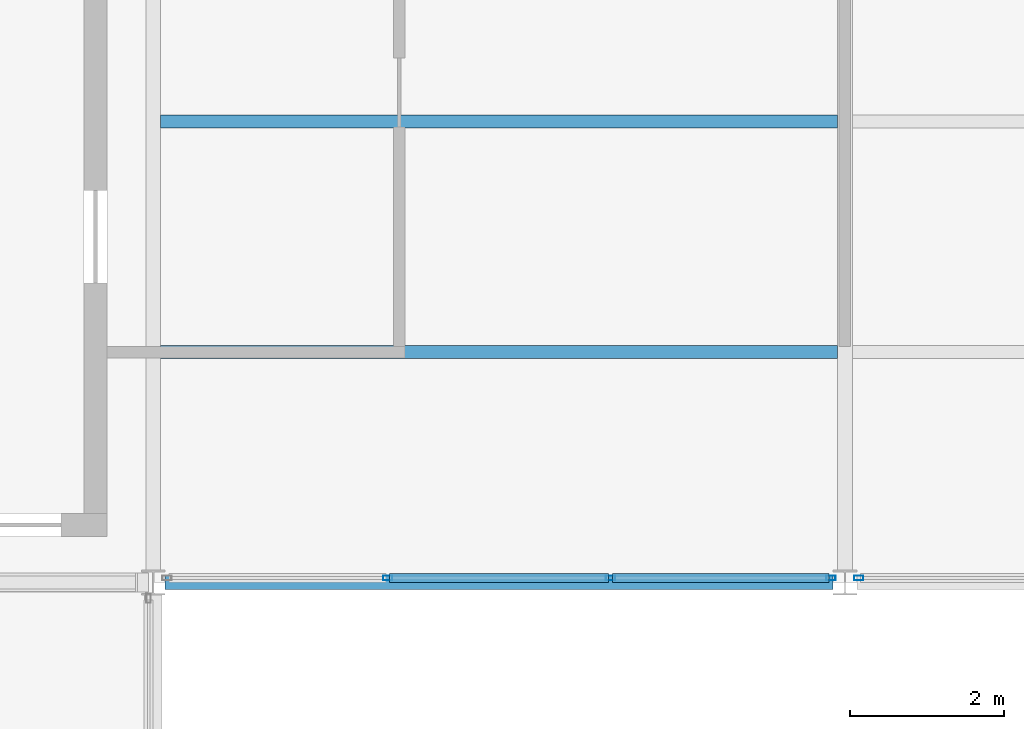
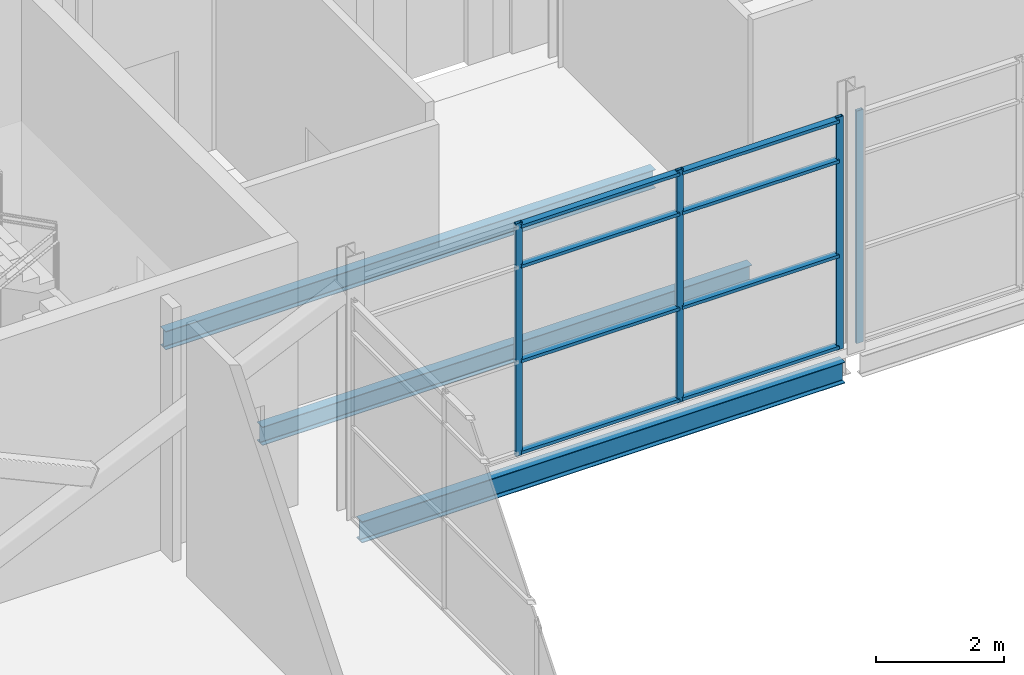
# One storey, part 43 of 112: 12 members, 3 beams, 2 elements without a shape of their own.
"""IFC4 building model written with IfcOpenShell, lengths in metres."""

from ifc_helpers import new_model, si_unit, direction, frame, origin, origin_2d, place, context, subcontext, project, spatial, hollow_rectangle, i_section, extrude, material, layer, layer_set, material_profile, profile_set, type_object, element, aggregate, save


model = new_model("IFC4")

# Units and contexts
model_context = context("Model", 3, precision=1e-05, world=origin(), true_north=direction((0.0, 1.0)))
body_context = subcontext(model_context, "Body", "Model", "MODEL_VIEW")
ifc_project = project(units=[si_unit("LENGTHUNIT", "METRE"), si_unit("AREAUNIT", "SQUARE_METRE"), si_unit("VOLUMEUNIT", "CUBIC_METRE"), si_unit("PLANEANGLEUNIT", "RADIAN"), si_unit("MASSUNIT", "GRAM", prefix="KILO")], contexts=[model_context])

# Site, building, storey
site_placement = place(None, origin())
site = spatial("IfcSite", under=ifc_project, at=site_placement, CompositionType="ELEMENT")
building_placement = place(site_placement, origin())
building = spatial("IfcBuilding", under=site, at=building_placement, Name="Shorebreak Coast Museum", CompositionType="ELEMENT")
storey_placement = place(building_placement, frame((0.0, 0.0, 6.0)))
storey = spatial("IfcBuildingStorey", under=building, at=storey_placement, Name="L01", CompositionType="ELEMENT", Elevation=6.0)

# Beams
ifc_material_1 = material(Name="Steel Grade 300", Category="steel")
ifc_material_profile_1 = material_profile(ifc_material_1, i_section(OverallWidth=0.177978515625, OverallDepth=0.402587890625, WebThickness=0.007568359375, FlangeThickness=0.010986328125, FilletRadius=0.011474609375, at=origin_2d()), Name="410UB53.7")
ifc_profile_set_1 = profile_set([ifc_material_profile_1], Name="Steel Grade 300")
beam_type_1 = type_object("IfcBeamType", Name="Floor girder east-west 410UB53.7", PredefinedType="BEAM", material=ifc_profile_set_1)
beam_placement = place(storey_placement, frame((63.155517578125, 81.0, -0.376220703125), z_axis=(1.0, 0.0, 0.0), x_axis=(0.0, 1.0, 0.0)))
element("IfcBeam", 1, at=beam_placement, inside=storey, type_object=beam_type_1, Name="Floor girder east-west L01 8K", PredefinedType="BEAM", context=body_context, shape_type="SweptSolid", body=[
    extrude(i_section(OverallWidth=0.177978515625, OverallDepth=0.402587890625, WebThickness=0.007568359375, FlangeThickness=0.010986328125, FilletRadius=0.011474609375, at=origin_2d()), origin(), (0.0, 0.0, 1.0), 8.68896484375),
])
ifc_material_2 = material(Name="Steel Grade 300", Category="steel")
ifc_material_profile_2 = material_profile(ifc_material_2, i_section(OverallWidth=0.1708984375, OverallDepth=0.35205078125, WebThickness=0.0068359375, FlangeThickness=0.009765625, FilletRadius=0.011474609375, at=origin_2d()), Name="360UB44.7")
ifc_profile_set_2 = profile_set([ifc_material_profile_2], Name="Steel Grade 300")
beam_type_2 = type_object("IfcBeamType", Name="Floor joist 360UB44.7", PredefinedType="JOIST", material=ifc_profile_set_2)
for number, where, z_axis, x_axis, name in (
    (2, (63.095458984375, 84.0, -0.35107421875), (1.0, 0.0, 0.0), (0.0, 1.0, 0.0), "Floor joist L01 bay 8K at 3000 mm"),
    (3, (63.095458984375, 87.0, -0.35107421875), (1.0, 0.0, 0.0), (0.0, 1.0, 0.0), "Floor joist L01 bay 8K at 6000 mm"),
):
    element("IfcBeam", number, at=place(storey_placement, frame(where, z_axis=z_axis, x_axis=x_axis)), inside=storey, type_object=beam_type_2, Name=name, PredefinedType="JOIST", context=body_context, shape_type="SweptSolid", body=[
        extrude(i_section(OverallWidth=0.1708984375, OverallDepth=0.35205078125, WebThickness=0.0068359375, FlangeThickness=0.009765625, FilletRadius=0.011474609375, at=origin_2d()), origin(), (0.0, 0.0, 1.0), 8.80908203125),
    ])

# Curtain wall, members
ifc_material_3 = material(Name="Aluminium", Category="aluminium")
ifc_layer = layer(ifc_material_3, 0.1201171875)
ifc_layer_set = layer_set([ifc_layer], Name="Aluminium")
curtain_wall_type = type_object("IfcCurtainWallType", Name="Atrium fire screen", PredefinedType="NOTDEFINED", material=ifc_layer_set)
curtain_wall_1_placement = place(storey_placement, origin())
curtain_wall_1 = element("IfcCurtainWall", 4, at=curtain_wall_1_placement, inside=storey, type_object=curtain_wall_type, Name="Atrium screen L01 N 7", PredefinedType="NOTDEFINED")
ifc_material_4 = material(Name="Aluminium", Category="aluminium")
ifc_material_profile_3 = material_profile(ifc_material_4, hollow_rectangle(XDim=0.06005859375, YDim=0.1201171875, WallThickness=0.00341796875, at=origin_2d()), Name="AL 120x60 RHS")
ifc_profile_set_3 = profile_set([ifc_material_profile_3], Name="Aluminium")
member_type_1 = type_object("IfcMemberType", Name="Screen mullion 50 x 120", PredefinedType="MULLION", material=ifc_profile_set_3)
member_1_placement = place(storey_placement, frame((66.0517578125, 81.06005859375, 0.0), z_axis=(0.0, 0.0, 1.0), x_axis=(0.0, 1.0, 0.0)))
member_1 = element("IfcMember", 5, at=member_1_placement, type_object=member_type_1, Name="CW5 mullion 2", PredefinedType="MULLION", context=body_context, shape_type="SweptSolid", body=[
    extrude(hollow_rectangle(XDim=0.06005859375, YDim=0.1201171875, WallThickness=0.00341796875, at=origin_2d()), origin(), (0.0, 0.0, 1.0), 4.42236328125),
])
member_2_placement = place(storey_placement, frame((68.9482421875, 81.06005859375, 0.0), z_axis=(0.0, 0.0, 1.0), x_axis=(0.0, 1.0, 0.0)))
member_2 = element("IfcMember", 6, at=member_2_placement, type_object=member_type_1, Name="CW5 mullion 3", PredefinedType="MULLION", context=body_context, shape_type="SweptSolid", body=[
    extrude(hollow_rectangle(XDim=0.06005859375, YDim=0.1201171875, WallThickness=0.00341796875, at=origin_2d()), origin(), (0.0, 0.0, 1.0), 4.42236328125),
])
member_3_placement = place(storey_placement, frame((71.819580078125, 81.06005859375, 0.0), z_axis=(0.0, 0.0, 1.0), x_axis=(0.0, 1.0, 0.0)))
member_3 = element("IfcMember", 7, at=member_3_placement, type_object=member_type_1, Name="CW5 mullion 4", PredefinedType="MULLION", context=body_context, shape_type="SweptSolid", body=[
    extrude(hollow_rectangle(XDim=0.06005859375, YDim=0.1201171875, WallThickness=0.00341796875, at=origin_2d()), origin(), (0.0, 0.0, 1.0), 4.42236328125),
])

# Curtain wall, member
curtain_wall_2_placement = place(storey_placement, origin())
curtain_wall_2 = element("IfcCurtainWall", 8, at=curtain_wall_2_placement, inside=storey, type_object=curtain_wall_type, Name="Atrium screen L01 N 8", PredefinedType="NOTDEFINED")
member_4_placement = place(storey_placement, frame((72.180419921875, 81.06005859375, 0.0), z_axis=(0.0, 0.0, 1.0), x_axis=(0.0, 1.0, 0.0)))
member_4 = element("IfcMember", 9, at=member_4_placement, type_object=member_type_1, Name="CW6 mullion 1", PredefinedType="MULLION", context=body_context, shape_type="SweptSolid", body=[
    extrude(hollow_rectangle(XDim=0.06005859375, YDim=0.1201171875, WallThickness=0.00341796875, at=origin_2d()), origin(), (0.0, 0.0, 1.0), 4.42236328125),
])
aggregate(curtain_wall_2, [member_4])

# Member
ifc_material_5 = material(Name="Aluminium", Category="aluminium")
ifc_material_profile_4 = material_profile(ifc_material_5, hollow_rectangle(XDim=0.1201171875, YDim=0.06005859375, WallThickness=0.00341796875, at=origin_2d()), Name="AL 60x120 RHS")
ifc_profile_set_4 = profile_set([ifc_material_profile_4], Name="Aluminium")
member_type_2 = type_object("IfcMemberType", Name="Screen transom 120 x 50", PredefinedType="USERDEFINED", material=ifc_profile_set_4)
member_5_placement = place(storey_placement, frame((66.076904296875, 81.06005859375, 0.06005859375), z_axis=(1.0, 0.0, 0.0), x_axis=(0.0, 1.0, 0.0)))
member_5 = element("IfcMember", 10, at=member_5_placement, type_object=member_type_2, Name="CW5 transom 2.1", ObjectType="TRANSOM", PredefinedType="USERDEFINED", context=body_context, shape_type="SweptSolid", body=[
    extrude(hollow_rectangle(XDim=0.1201171875, YDim=0.06005859375, WallThickness=0.00341796875, at=origin_2d()), origin(), (0.0, 0.0, 1.0), 2.84619140625),
])

member_6_placement = place(storey_placement, frame((66.076904296875, 81.06005859375, 1.800048828125), z_axis=(1.0, 0.0, 0.0), x_axis=(0.0, 1.0, 0.0)))
member_6 = element("IfcMember", 11, at=member_6_placement, type_object=member_type_2, Name="CW5 transom 2.2", ObjectType="TRANSOM", PredefinedType="USERDEFINED", context=body_context, shape_type="SweptSolid", body=[
    extrude(hollow_rectangle(XDim=0.1201171875, YDim=0.06005859375, WallThickness=0.00341796875, at=origin_2d()), origin(), (0.0, 0.0, 1.0), 2.84619140625),
])

member_7_placement = place(storey_placement, frame((66.076904296875, 81.06005859375, 3.60009765625), z_axis=(1.0, 0.0, 0.0), x_axis=(0.0, 1.0, 0.0)))
member_7 = element("IfcMember", 12, at=member_7_placement, type_object=member_type_2, Name="CW5 transom 2.3", ObjectType="TRANSOM", PredefinedType="USERDEFINED", context=body_context, shape_type="SweptSolid", body=[
    extrude(hollow_rectangle(XDim=0.1201171875, YDim=0.06005859375, WallThickness=0.00341796875, at=origin_2d()), origin(), (0.0, 0.0, 1.0), 2.84619140625),
])

member_8_placement = place(storey_placement, frame((66.076904296875, 81.06005859375, 4.3623046875), z_axis=(1.0, 0.0, 0.0), x_axis=(0.0, 1.0, 0.0)))
member_8 = element("IfcMember", 13, at=member_8_placement, type_object=member_type_2, Name="CW5 transom 2.4", ObjectType="TRANSOM", PredefinedType="USERDEFINED", context=body_context, shape_type="SweptSolid", body=[
    extrude(hollow_rectangle(XDim=0.1201171875, YDim=0.06005859375, WallThickness=0.00341796875, at=origin_2d()), origin(), (0.0, 0.0, 1.0), 2.84619140625),
])

member_9_placement = place(storey_placement, frame((68.97314453125, 81.06005859375, 0.06005859375), z_axis=(1.0, 0.0, 0.0), x_axis=(0.0, 1.0, 0.0)))
member_9 = element("IfcMember", 14, at=member_9_placement, type_object=member_type_2, Name="CW5 transom 3.1", ObjectType="TRANSOM", PredefinedType="USERDEFINED", context=body_context, shape_type="SweptSolid", body=[
    extrude(hollow_rectangle(XDim=0.1201171875, YDim=0.06005859375, WallThickness=0.00341796875, at=origin_2d()), origin(), (0.0, 0.0, 1.0), 2.8212890625),
])

member_10_placement = place(storey_placement, frame((68.97314453125, 81.06005859375, 1.800048828125), z_axis=(1.0, 0.0, 0.0), x_axis=(0.0, 1.0, 0.0)))
member_10 = element("IfcMember", 15, at=member_10_placement, type_object=member_type_2, Name="CW5 transom 3.2", ObjectType="TRANSOM", PredefinedType="USERDEFINED", context=body_context, shape_type="SweptSolid", body=[
    extrude(hollow_rectangle(XDim=0.1201171875, YDim=0.06005859375, WallThickness=0.00341796875, at=origin_2d()), origin(), (0.0, 0.0, 1.0), 2.8212890625),
])

member_11_placement = place(storey_placement, frame((68.97314453125, 81.06005859375, 3.60009765625), z_axis=(1.0, 0.0, 0.0), x_axis=(0.0, 1.0, 0.0)))
member_11 = element("IfcMember", 16, at=member_11_placement, type_object=member_type_2, Name="CW5 transom 3.3", ObjectType="TRANSOM", PredefinedType="USERDEFINED", context=body_context, shape_type="SweptSolid", body=[
    extrude(hollow_rectangle(XDim=0.1201171875, YDim=0.06005859375, WallThickness=0.00341796875, at=origin_2d()), origin(), (0.0, 0.0, 1.0), 2.8212890625),
])

member_12_placement = place(storey_placement, frame((68.97314453125, 81.06005859375, 4.3623046875), z_axis=(1.0, 0.0, 0.0), x_axis=(0.0, 1.0, 0.0)))
member_12 = element("IfcMember", 17, at=member_12_placement, type_object=member_type_2, Name="CW5 transom 3.4", ObjectType="TRANSOM", PredefinedType="USERDEFINED", context=body_context, shape_type="SweptSolid", body=[
    extrude(hollow_rectangle(XDim=0.1201171875, YDim=0.06005859375, WallThickness=0.00341796875, at=origin_2d()), origin(), (0.0, 0.0, 1.0), 2.8212890625),
])

aggregate(curtain_wall_1, [member_1, member_2, member_3, member_5, member_6, member_7, member_8, member_9, member_10, member_11, member_12])

save(model, "model.ifc")
